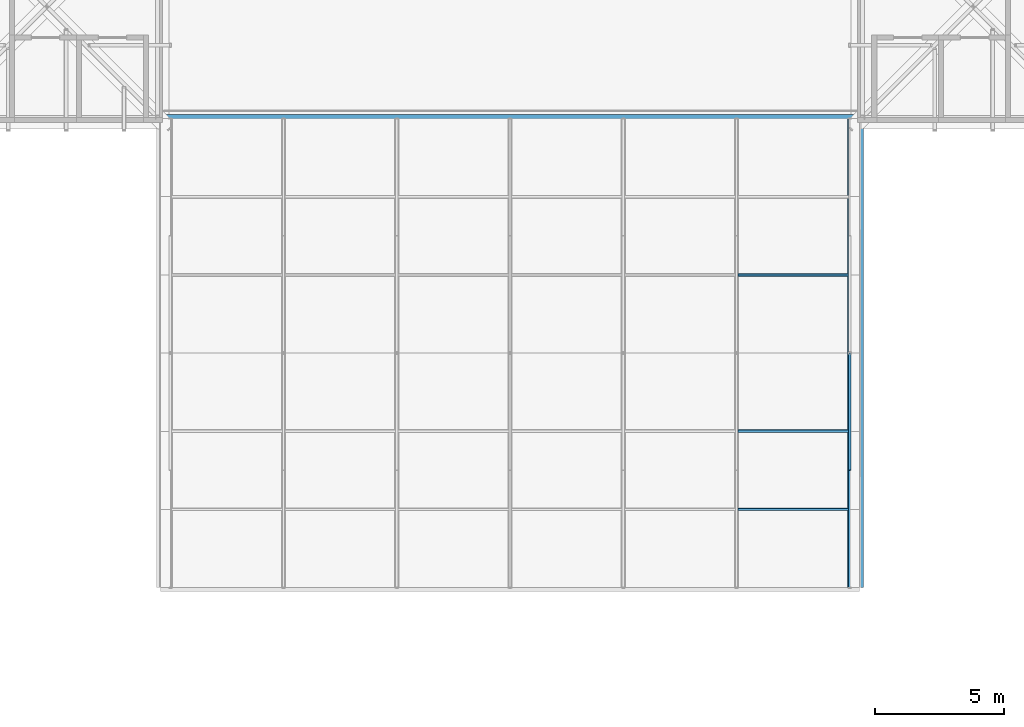
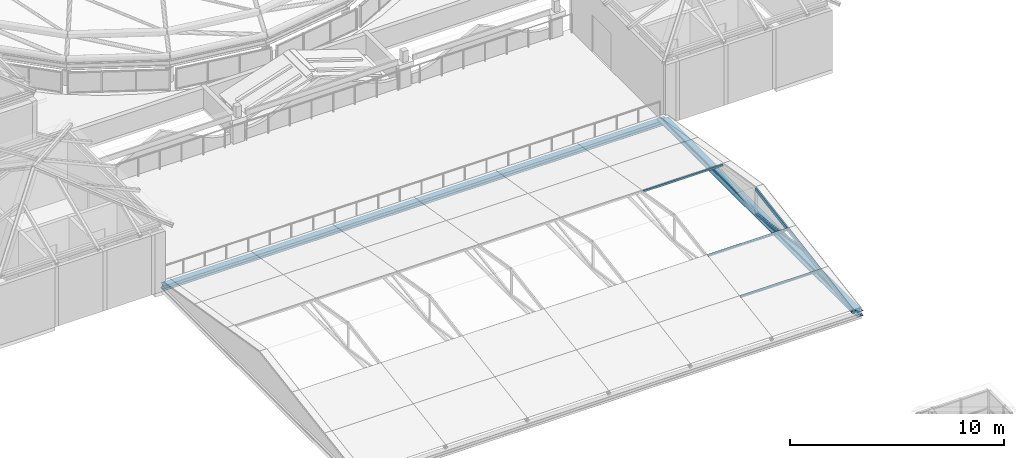
# One storey, part 11 of 69: 6 members, 2 beams.
"""IFC4 building model written with IfcOpenShell, lengths in metres."""

from ifc_helpers import new_model, si_unit, direction, frame, origin, origin_2d, place, context, subcontext, project, spatial, hollow_rectangle, hollow_circle, i_section, extrude, material, material_profile, profile_set, type_object, element, save


model = new_model("IFC4")

# Units and contexts
model_context = context("Model", 3, precision=1e-05, world=origin(), true_north=direction((0.0, 1.0)))
body_context = subcontext(model_context, "Body", "Model", "MODEL_VIEW")
ifc_project = project(units=[si_unit("LENGTHUNIT", "METRE"), si_unit("AREAUNIT", "SQUARE_METRE"), si_unit("VOLUMEUNIT", "CUBIC_METRE"), si_unit("PLANEANGLEUNIT", "RADIAN"), si_unit("MASSUNIT", "GRAM", prefix="KILO")], contexts=[model_context])

# Site, building, storey
site_placement = place(None, origin())
site = spatial("IfcSite", under=ifc_project, at=site_placement, CompositionType="ELEMENT")
building_placement = place(site_placement, origin())
building = spatial("IfcBuilding", under=site, at=building_placement, Name="Kallimachos Central Library", CompositionType="ELEMENT")
storey_placement = place(building_placement, frame((0.0, 0.0, 23.39990234375)))
storey = spatial("IfcBuildingStorey", under=building, at=storey_placement, Name="L05", CompositionType="ELEMENT", Elevation=23.39990234375)

# Member
ifc_material_1 = material(Name="Steel S355J2H", Category="steel")
ifc_material_profile_1 = material_profile(ifc_material_1, hollow_circle(Radius=0.084228515625, WallThickness=0.008056640625, at=origin_2d()), Name="CHS 168.3x8")
ifc_profile_set_1 = profile_set([ifc_material_profile_1], Name="Steel S355J2H")
member_type_1 = type_object("IfcMemberType", Name="CHS 168.3x8 tie", PredefinedType="MEMBER", material=ifc_profile_set_1)
member_1_placement = place(storey_placement, frame((101.199951171875, 56.919921875, 0.374267578125), z_axis=(0.0, 1.0, 0.0), x_axis=(-1.0, 0.0, 0.0)))
element("IfcMember", 1, at=member_1_placement, inside=storey, type_object=member_type_1, Name="V4-MEM-L05-079", PredefinedType="MEMBER", context=body_context, shape_type="SweptSolid", body=[
    extrude(hollow_circle(Radius=0.084228515625, WallThickness=0.008056640625, at=origin_2d()), origin(), (0.0, 0.0, 1.0), 18.22998046875),
])

# Beams
ifc_material_2 = material(Name="Steel S355J2", Category="steel")
ifc_material_profile_2 = material_profile(ifc_material_2, i_section(OverallWidth=0.300048828125, OverallDepth=0.2900390625, WebThickness=0.008544921875, FlangeThickness=0.013916015625, FilletRadius=0.027099609375, at=origin_2d()), Name="HEA 300")
ifc_profile_set_2 = profile_set([ifc_material_profile_2], Name="Steel S355J2")
beam_type = type_object("IfcBeamType", Name="HEA 300 beam", PredefinedType="BEAM", material=ifc_profile_set_2)
beam_1_placement = place(storey_placement, frame((74.419921875, 75.14990234375, 0.14501953125), z_axis=(1.0, 0.0, 0.0), x_axis=(0.0, 1.0, 0.0)))
element("IfcBeam", 2, at=beam_1_placement, inside=storey, type_object=beam_type, Name="V4-BEM-L05-002", PredefinedType="BEAM", context=body_context, shape_type="SweptSolid", body=[
    extrude(i_section(OverallWidth=0.300048828125, OverallDepth=0.2900390625, WebThickness=0.008544921875, FlangeThickness=0.013916015625, FilletRadius=0.027099609375, at=origin_2d()), origin(), (0.0, 0.0, 1.0), 27.16015625),
])
beam_2_placement = place(storey_placement, frame((101.580078125, 56.919921875, 0.14501953125), z_axis=(0.0, 1.0, 0.0), x_axis=(-1.0, 0.0, 0.0)))
element("IfcBeam", 3, at=beam_2_placement, inside=storey, type_object=beam_type, Name="V4-BEM-L05-004", PredefinedType="BEAM", context=body_context, shape_type="SweptSolid", body=[
    extrude(i_section(OverallWidth=0.300048828125, OverallDepth=0.2900390625, WebThickness=0.008544921875, FlangeThickness=0.013916015625, FilletRadius=0.027099609375, at=origin_2d()), origin(), (0.0, 0.0, 1.0), 18.22998046875),
])

# Members
ifc_material_3 = material(Name="Steel S355J2H", Category="steel")
ifc_material_profile_3 = material_profile(ifc_material_3, hollow_rectangle(XDim=0.10009765625, YDim=0.199951171875, WallThickness=0.008056640625, InnerFilletRadius=0.008056640625, OuterFilletRadius=0.011962890625, at=origin_2d()), Name="RHS 200x100x8")
ifc_profile_set_3 = profile_set([ifc_material_profile_3], Name="Steel S355J2H")
member_type_2 = type_object("IfcMemberType", Name="RHS 200x100x8 rafter", PredefinedType="RAFTER", material=ifc_profile_set_3)
member_2_placement = place(storey_placement, frame((101.199951171875, 56.919921875, 0.391357421875), z_axis=(0.0, 0.986728292904, 0.162380035666), x_axis=(-1.0, 0.0, 0.0)))
element("IfcMember", 4, at=member_2_placement, inside=storey, type_object=member_type_2, Name="V4-MEM-L05-077", PredefinedType="RAFTER", context=body_context, shape_type="SweptSolid", body=[
    extrude(hollow_rectangle(XDim=0.10009765625, YDim=0.199951171875, WallThickness=0.008056640625, InnerFilletRadius=0.008056640625, OuterFilletRadius=0.011962890625, at=origin_2d()), origin(), (0.0, 0.0, 1.0), 9.237548828125),
])
ifc_material_4 = material(Name="Steel S355J2H", Category="steel")
ifc_material_profile_4 = material_profile(ifc_material_4, hollow_rectangle(XDim=0.10009765625, YDim=0.10009765625, WallThickness=0.008056640625, InnerFilletRadius=0.008056640625, OuterFilletRadius=0.011962890625, at=origin_2d()), Name="SHS 100x100x8")
ifc_profile_set_4 = profile_set([ifc_material_profile_4], Name="Steel S355J2H")
member_type_3 = type_object("IfcMemberType", Name="SHS 100x100x8 purlin", PredefinedType="PURLIN", material=ifc_profile_set_4)
for number, where, z_axis, x_axis, name in (
    (5, (96.85009765625, 59.966552734375, 0.943359375), (1.0, 0.0, 0.0), (0.0, 0.986728320778, 0.162379866283), "V4-MEM-L05-088"),
    (6, (96.85009765625, 63.0048828125, 1.443359375), (1.0, 0.0, 0.0), (0.0, 0.986728320778, 0.162379866283), "V4-MEM-L05-094"),
    (7, (96.85009765625, 69.065185546875, 1.443359375), (1.0, 0.0, 0.0), (0.0, 0.986728320778, -0.162379866283), "V4-MEM-L05-106"),
):
    element("IfcMember", number, at=place(storey_placement, frame(where, z_axis=z_axis, x_axis=x_axis)), inside=storey, type_object=member_type_3, Name=name, PredefinedType="PURLIN", context=body_context, shape_type="SweptSolid", body=[
        extrude(hollow_rectangle(XDim=0.10009765625, YDim=0.10009765625, WallThickness=0.008056640625, InnerFilletRadius=0.008056640625, OuterFilletRadius=0.011962890625, at=origin_2d()), origin(), (0.0, 0.0, 1.0), 4.2998046875),
    ])
ifc_material_5 = material(Name="Steel S355J2H", Category="steel")
ifc_material_profile_5 = material_profile(ifc_material_5, hollow_rectangle(XDim=0.10009765625, YDim=0.10009765625, WallThickness=0.008056640625, InnerFilletRadius=0.008056640625, OuterFilletRadius=0.011962890625, at=origin_2d()), Name="SHS 100x100x8")
ifc_profile_set_5 = profile_set([ifc_material_profile_5], Name="Steel S355J2H")
member_type_4 = type_object("IfcMemberType", Name="SHS 100x100x8 strut", PredefinedType="STRUT", material=ifc_profile_set_5)
member_3_placement = place(storey_placement, frame((101.199951171875, 66.034912109375, 0.474365234375), z_axis=(0.0, -0.989459211783, 0.144811837285), x_axis=(1.0, 0.0, 0.0)))
element("IfcMember", 8, at=member_3_placement, inside=storey, type_object=member_type_4, Name="V4-MEM-L05-081", PredefinedType="STRUT", context=body_context, shape_type="SweptSolid", body=[
    extrude(hollow_rectangle(XDim=0.10009765625, YDim=0.10009765625, WallThickness=0.008056640625, InnerFilletRadius=0.008056640625, OuterFilletRadius=0.011962890625, at=origin_2d()), origin(), (0.0, 0.0, 1.0), 4.60595703125),
])

save(model, "model.ifc")
